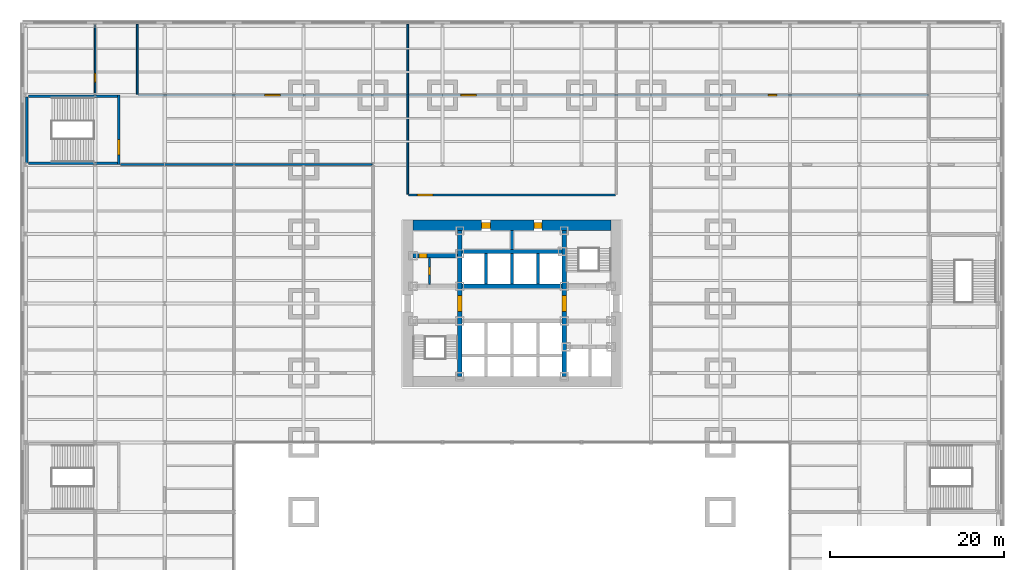
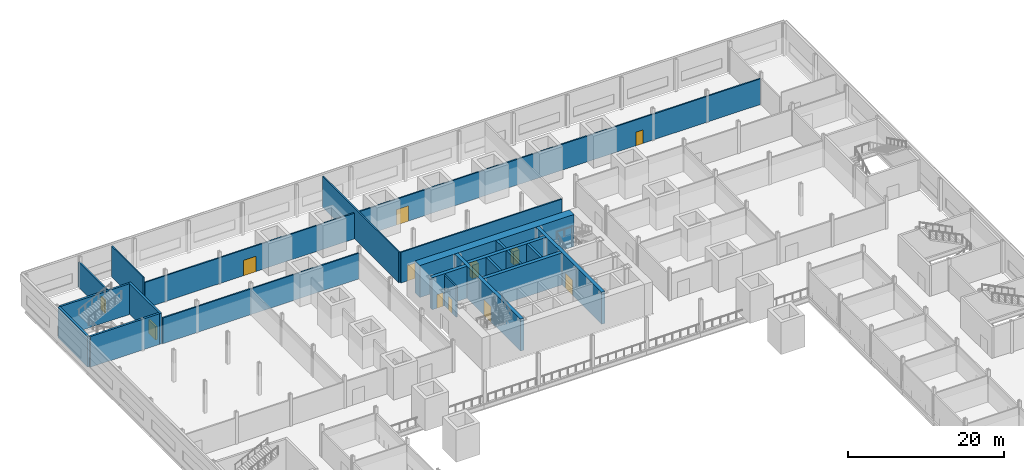
# One storey, part 14 of 22: 21 walls, 12 doors, 12 openings.
"""IFC4 building model written with IfcOpenShell, lengths in metres."""

from ifc_helpers import new_model, si_unit, direction, frame, frame_2d, origin, place, context, subcontext, project, spatial, rectangle, extrude, material, layer, layer_set, type_object, element, fill, save


model = new_model("IFC4")

# Units and contexts
model_context = context("Model", 3, precision=1e-05, world=origin(), true_north=direction((0.0, 1.0)))
body_context = subcontext(model_context, "Body", "Model", "MODEL_VIEW")
ifc_project = project(units=[si_unit("LENGTHUNIT", "METRE"), si_unit("AREAUNIT", "SQUARE_METRE"), si_unit("VOLUMEUNIT", "CUBIC_METRE"), si_unit("PLANEANGLEUNIT", "RADIAN"), si_unit("MASSUNIT", "GRAM", prefix="KILO")], contexts=[model_context])

# Site, building, storey
site_placement = place(None, origin())
site = spatial("IfcSite", under=ifc_project, at=site_placement, CompositionType="ELEMENT")
building_placement = place(site_placement, origin())
building = spatial("IfcBuilding", under=site, at=building_placement, Name="Daluyong Arena Tower", CompositionType="ELEMENT")
storey_placement = place(building_placement, frame((0.0, 0.0, 9.89990234375)))
storey = spatial("IfcBuildingStorey", under=building, at=storey_placement, Name="L02", CompositionType="ELEMENT", Elevation=9.89990234375)

# Wall, opening, door
ifc_material_1 = material(Name="Concrete fc' 45 MPa", Category="concrete")
ifc_layer_1 = layer(ifc_material_1, 0.5)
ifc_layer_set_1 = layer_set([ifc_layer_1], Name="Concrete fc' 45 MPa")
wall_type_1 = type_object("IfcWallType", Name="Core inner wall 500", PredefinedType="SHEAR", material=ifc_layer_set_1)
wall_1_placement = place(storey_placement, frame((50.0, 71.60009765625, 0.0), z_axis=(0.0, 0.0, 1.0), x_axis=(0.0, 1.0, 0.0)))
wall_1 = element("IfcWall", 1, at=wall_1_placement, inside=storey, type_object=wall_type_1, Name="core inner wall at L02", PredefinedType="SHEAR", context=body_context, shape_type="SweptSolid", body=[
    extrude(rectangle(XDim=16.7998046875, YDim=0.5, at=frame_2d((8.39990234375, 0.0))), origin(), (0.0, 0.0, 1.0), 5.0),
])
opening_1_placement = place(wall_1_placement, frame((7.5, 0.0, 0.0)))
opening_1 = element("IfcOpeningElement", 2, at=opening_1_placement, cuts=wall_1, Name="Opening 02010", PredefinedType="OPENING", context=body_context, shape_type="SweptSolid", body=[
    extrude(rectangle(XDim=1.800048828125, YDim=2.39990234375, at=frame_2d((0.89990234375, 1.199951171875))), frame((0.0, 0.260009765625, 0.0), z_axis=(0.0, -1.0, 0.0), x_axis=(1.0, 0.0, 0.0)), (0.0, 0.0, 1.0), 0.52001953125),
])
ifc_material_2 = material(Name="Steel door, fire rated", Category="steel")
door_type_1 = type_object("IfcDoorType", Name="Lift lobby opening door 1800", OperationType="DOUBLE_DOOR_SINGLE_SWING", PredefinedType="DOOR", material=ifc_material_2)
door_1_placement = place(opening_1_placement, origin())
door_1 = element("IfcDoor", 3, at=door_1_placement, inside=storey, type_object=door_type_1, Name="lift lobby door west 02010", OperationType="DOUBLE_DOOR_SINGLE_SWING", OverallHeight=2.39990234375, OverallWidth=1.800048828125, PredefinedType="DOOR", context=body_context, shape_type="SweptSolid", body=[
    extrude(rectangle(XDim=1.800048828125, YDim=2.39990234375, at=frame_2d((0.89990234375, 1.199951171875))), frame((0.0, 0.249755859375, 0.0), z_axis=(0.0, -1.0, 0.0), x_axis=(1.0, 0.0, 0.0)), (0.0, 0.0, 1.0), 0.49951171875),
])
fill(opening_1, door_1)

wall_2_placement = place(storey_placement, frame((62.0, 71.60009765625, 0.0), z_axis=(0.0, 0.0, 1.0), x_axis=(0.0, 1.0, 0.0)))
wall_2 = element("IfcWall", 4, at=wall_2_placement, inside=storey, type_object=wall_type_1, Name="core inner wall at L02", PredefinedType="SHEAR", context=body_context, shape_type="SweptSolid", body=[
    extrude(rectangle(XDim=16.7998046875, YDim=0.5, at=frame_2d((8.39990234375, 0.0))), origin(), (0.0, 0.0, 1.0), 5.0),
])
opening_2_placement = place(wall_2_placement, frame((7.5, 0.0, 0.0)))
opening_2 = element("IfcOpeningElement", 5, at=opening_2_placement, cuts=wall_2, Name="Opening 02011", PredefinedType="OPENING", context=body_context, shape_type="SweptSolid", body=[
    extrude(rectangle(XDim=1.800048828125, YDim=2.39990234375, at=frame_2d((0.89990234375, 1.199951171875))), frame((0.0, 0.260009765625, 0.0), z_axis=(0.0, -1.0, 0.0), x_axis=(1.0, 0.0, 0.0)), (0.0, 0.0, 1.0), 0.52001953125),
])
door_2_placement = place(opening_2_placement, origin())
door_2 = element("IfcDoor", 6, at=door_2_placement, inside=storey, type_object=door_type_1, Name="lift lobby door east 02011", OperationType="DOUBLE_DOOR_SINGLE_SWING", OverallHeight=2.39990234375, OverallWidth=1.800048828125, PredefinedType="DOOR", context=body_context, shape_type="SweptSolid", body=[
    extrude(rectangle(XDim=1.800048828125, YDim=2.39990234375, at=frame_2d((0.89990234375, 1.199951171875))), frame((0.0, 0.249755859375, 0.0), z_axis=(0.0, -1.0, 0.0), x_axis=(1.0, 0.0, 0.0)), (0.0, 0.0, 1.0), 0.49951171875),
])
fill(opening_2, door_2)

wall_3_placement = place(storey_placement, frame((44.60009765625, 85.5, 0.0), z_axis=(0.0, 0.0, 1.0), x_axis=(1.0, 0.0, 0.0)))
wall_3 = element("IfcWall", 7, at=wall_3_placement, inside=storey, type_object=wall_type_1, Name="core inner wall at L02", PredefinedType="SHEAR", context=body_context, shape_type="SweptSolid", body=[
    extrude(rectangle(XDim=5.14990234375, YDim=0.5, at=frame_2d((2.574951171875, 0.0))), origin(), (0.0, 0.0, 1.0), 5.0),
])
opening_3_placement = place(wall_3_placement, frame((0.699951171875, 0.0, 0.0)))
opening_3 = element("IfcOpeningElement", 8, at=opening_3_placement, cuts=wall_3, Name="Opening 02003", PredefinedType="OPENING", context=body_context, shape_type="SweptSolid", body=[
    extrude(rectangle(XDim=0.89990234375, YDim=2.10009765625, at=frame_2d((0.449951171875, 1.050048828125))), frame((0.0, 0.260009765625, 0.0), z_axis=(0.0, -1.0, 0.0), x_axis=(1.0, 0.0, 0.0)), (0.0, 0.0, 1.0), 0.52001953125),
])
ifc_material_3 = material(Name="Timber door", Category="wood")
door_type_2 = type_object("IfcDoorType", Name="Toilet door 900", OperationType="SINGLE_SWING_RIGHT", PredefinedType="DOOR", material=ifc_material_3)
door_3_placement = place(opening_3_placement, origin())
door_3 = element("IfcDoor", 9, at=door_3_placement, inside=storey, type_object=door_type_2, Name="female toilet door 02003", OperationType="SINGLE_SWING_RIGHT", OverallHeight=2.10009765625, OverallWidth=0.89990234375, PredefinedType="DOOR", context=body_context, shape_type="SweptSolid", body=[
    extrude(rectangle(XDim=0.89990234375, YDim=2.10009765625, at=frame_2d((0.449951171875, 1.050048828125))), frame((0.0, 0.249755859375, 0.0), z_axis=(0.0, -1.0, 0.0), x_axis=(1.0, 0.0, 0.0)), (0.0, 0.0, 1.0), 0.49951171875),
])
fill(opening_3, door_3)

# Walls
for number, where, z_axis, x_axis, name in (
    (10, (50.25, 82.0, 0.0), (0.0, 0.0, 1.0), (1.0, 0.0, 0.0), "core inner wall at L02"),
    (11, (50.25, 86.0, 0.0), (0.0, 0.0, 1.0), (1.0, 0.0, 0.0), "core inner wall at L02"),
):
    element("IfcWall", number, at=place(storey_placement, frame(where, z_axis=z_axis, x_axis=x_axis)), inside=storey, type_object=wall_type_1, Name=name, PredefinedType="SHEAR", context=body_context, shape_type="SweptSolid", body=[
        extrude(rectangle(XDim=11.5, YDim=0.5, at=frame_2d((5.75, 0.0))), origin(), (0.0, 0.0, 1.0), 5.0),
    ])

# Wall, openings, doors
ifc_material_4 = material(Name="Concrete fc' 60 MPa", Category="concrete")
ifc_layer_2 = layer(ifc_material_4, 1.199951171875)
ifc_layer_set_2 = layer_set([ifc_layer_2], Name="Concrete fc' 60 MPa")
wall_type_2 = type_object("IfcWallType", Name="Core wall 1200", PredefinedType="SHEAR", material=ifc_layer_set_2)
wall_4_placement = place(storey_placement, frame((44.60009765625, 89.0, 0.0), z_axis=(0.0, 0.0, 1.0), x_axis=(1.0, 0.0, 0.0)))
wall_4 = element("IfcWall", 12, at=wall_4_placement, inside=storey, type_object=wall_type_2, Name="core wall at L02", PredefinedType="SHEAR", context=body_context, shape_type="SweptSolid", body=[
    extrude(rectangle(XDim=22.7998046875, YDim=1.199951171875, at=frame_2d((11.39990234375, 0.0))), origin(), (0.0, 0.0, 1.0), 5.0),
])
opening_4_placement = place(wall_4_placement, frame((7.89990234375, 0.0, 0.0)))
opening_4 = element("IfcOpeningElement", 13, at=opening_4_placement, cuts=wall_4, Name="Opening 02004", PredefinedType="OPENING", context=body_context, shape_type="SweptSolid", body=[
    extrude(rectangle(XDim=1.0, YDim=2.10009765625, at=frame_2d((0.5, 1.050048828125))), frame((0.0, 0.60986328125, 0.0), z_axis=(0.0, -1.0, 0.0), x_axis=(1.0, 0.0, 0.0)), (0.0, 0.0, 1.0), 1.219970703125),
])
opening_5_placement = place(wall_4_placement, frame((13.949951171875, 0.0, 0.0)))
opening_5 = element("IfcOpeningElement", 14, at=opening_5_placement, cuts=wall_4, Name="Opening 02005", PredefinedType="OPENING", context=body_context, shape_type="SweptSolid", body=[
    extrude(rectangle(XDim=0.89990234375, YDim=2.10009765625, at=frame_2d((0.449951171875, 1.050048828125))), frame((0.0, 0.60986328125, 0.0), z_axis=(0.0, -1.0, 0.0), x_axis=(1.0, 0.0, 0.0)), (0.0, 0.0, 1.0), 1.219970703125),
])
ifc_material_5 = material(Name="Timber door", Category="wood")
door_type_3 = type_object("IfcDoorType", Name="Accessible toilet door 1000", OperationType="SINGLE_SWING_LEFT", PredefinedType="DOOR", material=ifc_material_5)
door_4_placement = place(opening_4_placement, origin())
door_4 = element("IfcDoor", 15, at=door_4_placement, inside=storey, type_object=door_type_3, Name="accessible toilet door 02004", OperationType="SINGLE_SWING_LEFT", OverallHeight=2.10009765625, OverallWidth=1.0, PredefinedType="DOOR", context=body_context, shape_type="SweptSolid", body=[
    extrude(rectangle(XDim=1.0, YDim=2.10009765625, at=frame_2d((0.5, 1.050048828125))), frame((0.0, 0.35009765625, 0.0), z_axis=(0.0, -1.0, 0.0), x_axis=(1.0, 0.0, 0.0)), (0.0, 0.0, 1.0), 0.699951171875),
])
fill(opening_4, door_4)
ifc_material_6 = material(Name="Steel door, fire rated", Category="steel")
door_type_4 = type_object("IfcDoorType", Name="Riser door 900", OperationType="SINGLE_SWING_LEFT", PredefinedType="DOOR", material=ifc_material_6)
door_5_placement = place(opening_5_placement, origin())
door_5 = element("IfcDoor", 16, at=door_5_placement, inside=storey, type_object=door_type_4, Name="riser door 02005", OperationType="SINGLE_SWING_LEFT", OverallHeight=2.10009765625, OverallWidth=0.89990234375, PredefinedType="DOOR", context=body_context, shape_type="SweptSolid", body=[
    extrude(rectangle(XDim=0.89990234375, YDim=2.10009765625, at=frame_2d((0.449951171875, 1.050048828125))), frame((0.0, 0.35009765625, 0.0), z_axis=(0.0, -1.0, 0.0), x_axis=(1.0, 0.0, 0.0)), (0.0, 0.0, 1.0), 0.699951171875),
])
fill(opening_5, door_5)

# Wall, opening, door
ifc_material_7 = material(Name="Concrete block partition, fire rated", Category="concrete")
ifc_layer_3 = layer(ifc_material_7, 0.199951171875)
ifc_layer_set_3 = layer_set([ifc_layer_3], Name="Concrete block partition, fire rated")
wall_type_3 = type_object("IfcWallType", Name="Fire-rated partition 200", PredefinedType="PARTITIONING", material=ifc_layer_set_3)
wall_5_placement = place(storey_placement, frame((46.5, 82.25, 0.0), z_axis=(0.0, 0.0, 1.0), x_axis=(0.0, 1.0, 0.0)))
wall_5 = element("IfcWall", 17, at=wall_5_placement, inside=storey, type_object=wall_type_3, Name="toilet lobby partition at L02", PredefinedType="PARTITIONING", context=body_context, shape_type="SweptSolid", body=[
    extrude(rectangle(XDim=3.0, YDim=0.199951171875, at=frame_2d((1.5, 0.0))), origin(), (0.0, 0.0, 1.0), 4.800048828125),
])
opening_6_placement = place(wall_5_placement, frame((1.050048828125, 0.0, 0.0)))
opening_6 = element("IfcOpeningElement", 18, at=opening_6_placement, cuts=wall_5, Name="Opening 02002", PredefinedType="OPENING", context=body_context, shape_type="SweptSolid", body=[
    extrude(rectangle(XDim=0.89990234375, YDim=2.10009765625, at=frame_2d((0.449951171875, 1.050048828125))), frame((0.0, 0.10986328125, 0.0), z_axis=(0.0, -1.0, 0.0), x_axis=(1.0, 0.0, 0.0)), (0.0, 0.0, 1.0), 0.219970703125),
])
door_6_placement = place(opening_6_placement, origin())
door_6 = element("IfcDoor", 19, at=door_6_placement, inside=storey, type_object=door_type_2, Name="male toilet door 02002", OperationType="SINGLE_SWING_RIGHT", OverallHeight=2.10009765625, OverallWidth=0.89990234375, PredefinedType="DOOR", context=body_context, shape_type="SweptSolid", body=[
    extrude(rectangle(XDim=0.89990234375, YDim=2.10009765625, at=frame_2d((0.449951171875, 1.050048828125))), frame((0.0, 0.099609375, 0.0), z_axis=(0.0, -1.0, 0.0), x_axis=(1.0, 0.0, 0.0)), (0.0, 0.0, 1.0), 0.199462890625),
])
fill(opening_6, door_6)

# Walls
ifc_material_8 = material(Name="Concrete fc' 45 MPa", Category="concrete")
ifc_layer_4 = layer(ifc_material_8, 0.35009765625)
ifc_layer_set_4 = layer_set([ifc_layer_4], Name="Concrete fc' 45 MPa")
wall_type_4 = type_object("IfcWallType", Name="Lift shaft wall 350", PredefinedType="SHEAR", material=ifc_layer_set_4)
for number, where, z_axis, x_axis, name in (
    (20, (53.0, 82.25, 0.0), (0.0, 0.0, 1.0), (0.0, 1.0, 0.0), "lift shaft wall at L02"),
    (21, (56.0, 82.25, 0.0), (0.0, 0.0, 1.0), (0.0, 1.0, 0.0), "lift shaft wall at L02"),
    (22, (59.0, 82.25, 0.0), (0.0, 0.0, 1.0), (0.0, 1.0, 0.0), "lift shaft wall at L02"),
):
    element("IfcWall", number, at=place(storey_placement, frame(where, z_axis=z_axis, x_axis=x_axis)), inside=storey, type_object=wall_type_4, Name=name, PredefinedType="SHEAR", context=body_context, shape_type="SweptSolid", body=[
        extrude(rectangle(XDim=3.5, YDim=0.35009765625, at=frame_2d((1.75, 0.0))), origin(), (0.0, 0.0, 1.0), 5.0),
    ])
wall_6_placement = place(storey_placement, frame((56.0, 86.25, 0.0), z_axis=(0.0, 0.0, 1.0), x_axis=(0.0, 1.0, 0.0)))
element("IfcWall", 23, at=wall_6_placement, inside=storey, type_object=wall_type_4, Name="lift shaft wall at L02", PredefinedType="SHEAR", context=body_context, shape_type="SweptSolid", body=[
    extrude(rectangle(XDim=2.14990234375, YDim=0.35009765625, at=frame_2d((1.074951171875, 0.0))), origin(), (0.0, 0.0, 1.0), 5.0),
])

# Wall, opening, door
ifc_material_9 = material(Name="Concrete block partition", Category="concrete")
ifc_layer_5 = layer(ifc_material_9, 0.199951171875)
ifc_layer_set_5 = layer_set([ifc_layer_5], Name="Concrete block partition")
wall_type_5 = type_object("IfcWallType", Name="Partition 200", PredefinedType="PARTITIONING", material=ifc_layer_set_5)
wall_7_placement = place(storey_placement, frame((44.10009765625, 92.5, 0.0), z_axis=(0.0, 0.0, 1.0), x_axis=(1.0, 0.0, 0.0)))
wall_7 = element("IfcWall", 24, at=wall_7_placement, inside=storey, type_object=wall_type_5, Name="partition at L02", PredefinedType="PARTITIONING", context=body_context, shape_type="SweptSolid", body=[
    extrude(rectangle(XDim=23.7998046875, YDim=0.199951171875, at=frame_2d((11.89990234375, 0.0))), origin(), (0.0, 0.0, 1.0), 4.800048828125),
])
opening_7_placement = place(wall_7_placement, frame((1.0, 0.0, 0.0)))
opening_7 = element("IfcOpeningElement", 25, at=opening_7_placement, cuts=wall_7, Name="Opening 02064", PredefinedType="OPENING", context=body_context, shape_type="SweptSolid", body=[
    extrude(rectangle(XDim=1.800048828125, YDim=2.39990234375, at=frame_2d((0.89990234375, 1.199951171875))), frame((0.0, 0.10986328125, 0.0), z_axis=(0.0, -1.0, 0.0), x_axis=(1.0, 0.0, 0.0)), (0.0, 0.0, 1.0), 0.219970703125),
])
ifc_material_10 = material(Name="Timber door", Category="wood")
door_type_5 = type_object("IfcDoorType", Name="Assembly double door 1800", OperationType="DOUBLE_DOOR_DOUBLE_SWING", PredefinedType="DOOR", material=ifc_material_10)
door_7_placement = place(opening_7_placement, origin())
door_7 = element("IfcDoor", 26, at=door_7_placement, inside=storey, type_object=door_type_5, Name="club dining room door 02064", OperationType="DOUBLE_DOOR_DOUBLE_SWING", OverallHeight=2.39990234375, OverallWidth=1.800048828125, PredefinedType="DOOR", context=body_context, shape_type="SweptSolid", body=[
    extrude(rectangle(XDim=1.800048828125, YDim=2.39990234375, at=frame_2d((0.89990234375, 1.199951171875))), frame((0.0, 0.099609375, 0.0), z_axis=(0.0, -1.0, 0.0), x_axis=(1.0, 0.0, 0.0)), (0.0, 0.0, 1.0), 0.199462890625),
])
fill(opening_7, door_7)

# Wall
wall_8_placement = place(storey_placement, frame((10.949951171875, 96.0, 0.0), z_axis=(0.0, 0.0, 1.0), x_axis=(1.0, 0.0, 0.0)))
element("IfcWall", 27, at=wall_8_placement, inside=storey, type_object=wall_type_5, Name="partition at L02", PredefinedType="PARTITIONING", context=body_context, shape_type="SweptSolid", body=[
    extrude(rectangle(XDim=28.949951171875, YDim=0.199951171875, at=frame_2d((14.47509765625, 0.0))), origin(), (0.0, 0.0, 1.0), 4.02783203125),
])

# Wall, openings, doors
wall_9_placement = place(storey_placement, frame((12.949951171875, 104.0, 0.0), z_axis=(0.0, 0.0, 1.0), x_axis=(1.0, 0.0, 0.0)))
wall_9 = element("IfcWall", 28, at=wall_9_placement, inside=storey, type_object=wall_type_5, Name="partition at L02", PredefinedType="PARTITIONING", context=body_context, shape_type="SweptSolid", body=[
    extrude(rectangle(XDim=90.949951171875, YDim=0.199951171875, at=frame_2d((45.47509765625, 0.0))), origin(), (0.0, 0.0, 1.0), 4.02783203125),
])
opening_8_placement = place(wall_9_placement, frame((14.574951171875, 0.0, 0.0)))
opening_8 = element("IfcOpeningElement", 29, at=opening_8_placement, cuts=wall_9, Name="Opening 02062", PredefinedType="OPENING", context=body_context, shape_type="SweptSolid", body=[
    extrude(rectangle(XDim=1.800048828125, YDim=2.39990234375, at=frame_2d((0.89990234375, 1.199951171875))), frame((0.0, 0.10986328125, 0.0), z_axis=(0.0, -1.0, 0.0), x_axis=(1.0, 0.0, 0.0)), (0.0, 0.0, 1.0), 0.219970703125),
])
opening_9_placement = place(wall_9_placement, frame((37.14990234375, 0.0, 0.0)))
opening_9 = element("IfcOpeningElement", 30, at=opening_9_placement, cuts=wall_9, Name="Opening 02065", PredefinedType="OPENING", context=body_context, shape_type="SweptSolid", body=[
    extrude(rectangle(XDim=1.800048828125, YDim=2.39990234375, at=frame_2d((0.89990234375, 1.199951171875))), frame((0.0, 0.10986328125, 0.0), z_axis=(0.0, -1.0, 0.0), x_axis=(1.0, 0.0, 0.0)), (0.0, 0.0, 1.0), 0.219970703125),
])
opening_10_placement = place(wall_9_placement, frame((72.550048828125, 0.0, 0.0)))
opening_10 = element("IfcOpeningElement", 31, at=opening_10_placement, cuts=wall_9, Name="Opening 02066", PredefinedType="OPENING", context=body_context, shape_type="SweptSolid", body=[
    extrude(rectangle(XDim=1.0, YDim=2.10009765625, at=frame_2d((0.5, 1.050048828125))), frame((0.0, 0.10986328125, 0.0), z_axis=(0.0, -1.0, 0.0), x_axis=(1.0, 0.0, 0.0)), (0.0, 0.0, 1.0), 0.219970703125),
])
door_8_placement = place(opening_8_placement, origin())
door_8 = element("IfcDoor", 32, at=door_8_placement, inside=storey, type_object=door_type_5, Name="banquet hall door 02062", OperationType="DOUBLE_DOOR_DOUBLE_SWING", OverallHeight=2.39990234375, OverallWidth=1.800048828125, PredefinedType="DOOR", context=body_context, shape_type="SweptSolid", body=[
    extrude(rectangle(XDim=1.800048828125, YDim=2.39990234375, at=frame_2d((0.89990234375, 1.199951171875))), frame((0.0, 0.099609375, 0.0), z_axis=(0.0, -1.0, 0.0), x_axis=(1.0, 0.0, 0.0)), (0.0, 0.0, 1.0), 0.199462890625),
])
fill(opening_8, door_8)
door_9_placement = place(opening_9_placement, origin())
door_9 = element("IfcDoor", 33, at=door_9_placement, inside=storey, type_object=door_type_5, Name="club dining room door 02065", OperationType="DOUBLE_DOOR_DOUBLE_SWING", OverallHeight=2.39990234375, OverallWidth=1.800048828125, PredefinedType="DOOR", context=body_context, shape_type="SweptSolid", body=[
    extrude(rectangle(XDim=1.800048828125, YDim=2.39990234375, at=frame_2d((0.89990234375, 1.199951171875))), frame((0.0, 0.099609375, 0.0), z_axis=(0.0, -1.0, 0.0), x_axis=(1.0, 0.0, 0.0)), (0.0, 0.0, 1.0), 0.199462890625),
])
fill(opening_9, door_9)
ifc_material_11 = material(Name="Timber door", Category="wood")
door_type_6 = type_object("IfcDoorType", Name="Room door 1000", OperationType="SINGLE_SWING_LEFT", PredefinedType="DOOR", material=ifc_material_11)
door_10_placement = place(opening_10_placement, origin())
door_10 = element("IfcDoor", 34, at=door_10_placement, inside=storey, type_object=door_type_6, Name="catering kitchen door 02066", OperationType="SINGLE_SWING_LEFT", OverallHeight=2.10009765625, OverallWidth=1.0, PredefinedType="DOOR", context=body_context, shape_type="SweptSolid", body=[
    extrude(rectangle(XDim=1.0, YDim=2.10009765625, at=frame_2d((0.5, 1.050048828125))), frame((0.0, 0.099609375, 0.0), z_axis=(0.0, -1.0, 0.0), x_axis=(1.0, 0.0, 0.0)), (0.0, 0.0, 1.0), 0.199462890625),
])
fill(opening_10, door_10)

# Wall, opening, door
wall_10_placement = place(storey_placement, frame((8.0, 104.10009765625, 0.0), z_axis=(0.0, 0.0, 1.0), x_axis=(0.0, 1.0, 0.0)))
wall_10 = element("IfcWall", 35, at=wall_10_placement, inside=storey, type_object=wall_type_5, Name="partition at L02", PredefinedType="PARTITIONING", context=body_context, shape_type="SweptSolid", body=[
    extrude(rectangle(XDim=8.0498046875, YDim=0.199951171875, at=frame_2d((4.02490234375, 0.0))), origin(), (0.0, 0.0, 1.0), 4.02783203125),
])
opening_11_placement = place(wall_10_placement, frame((1.39990234375, 0.0, 0.0)))
opening_11 = element("IfcOpeningElement", 36, at=opening_11_placement, cuts=wall_10, Name="Opening 02063", PredefinedType="OPENING", context=body_context, shape_type="SweptSolid", body=[
    extrude(rectangle(XDim=1.0, YDim=2.10009765625, at=frame_2d((0.5, 1.050048828125))), frame((0.0, 0.10986328125, 0.0), z_axis=(0.0, -1.0, 0.0), x_axis=(1.0, 0.0, 0.0)), (0.0, 0.0, 1.0), 0.219970703125),
])
door_11_placement = place(opening_11_placement, origin())
door_11 = element("IfcDoor", 37, at=door_11_placement, inside=storey, type_object=door_type_6, Name="banquet servery door 02063", OperationType="SINGLE_SWING_LEFT", OverallHeight=2.10009765625, OverallWidth=1.0, PredefinedType="DOOR", context=body_context, shape_type="SweptSolid", body=[
    extrude(rectangle(XDim=1.0, YDim=2.10009765625, at=frame_2d((0.5, 1.050048828125))), frame((0.0, 0.099609375, 0.0), z_axis=(0.0, -1.0, 0.0), x_axis=(1.0, 0.0, 0.0)), (0.0, 0.0, 1.0), 0.199462890625),
])
fill(opening_11, door_11)

# Walls
wall_11_placement = place(storey_placement, frame((12.85009765625, 104.10009765625, 0.0), z_axis=(0.0, 0.0, 1.0), x_axis=(0.0, 1.0, 0.0)))
element("IfcWall", 38, at=wall_11_placement, inside=storey, type_object=wall_type_5, Name="partition at L02", PredefinedType="PARTITIONING", context=body_context, shape_type="SweptSolid", body=[
    extrude(rectangle(XDim=8.0498046875, YDim=0.199951171875, at=frame_2d((4.02490234375, 0.0))), origin(), (0.0, 0.0, 1.0), 4.800048828125),
])
wall_12_placement = place(storey_placement, frame((44.0, 92.60009765625, 0.0), z_axis=(0.0, 0.0, 1.0), x_axis=(0.0, 1.0, 0.0)))
element("IfcWall", 39, at=wall_12_placement, inside=storey, type_object=wall_type_5, Name="partition at L02", PredefinedType="PARTITIONING", context=body_context, shape_type="SweptSolid", body=[
    extrude(rectangle(XDim=19.5498046875, YDim=0.199951171875, at=frame_2d((9.77490234375, 0.0))), origin(), (0.0, 0.0, 1.0), 4.800048828125),
])
ifc_material_12 = material(Name="Concrete fc' 35 MPa", Category="concrete")
ifc_layer_6 = layer(ifc_material_12, 0.300048828125)
ifc_layer_set_6 = layer_set([ifc_layer_6], Name="Concrete fc' 35 MPa")
wall_type_6 = type_object("IfcWallType", Name="Stair enclosure wall 300", PredefinedType="SOLIDWALL", material=ifc_layer_set_6)
wall_13_placement = place(storey_placement, frame((0.14990234375, 96.208251953125, 0.0), z_axis=(0.0, 0.0, 1.0), x_axis=(0.0, 1.0, 0.0)))
element("IfcWall", 40, at=wall_13_placement, inside=storey, type_object=wall_type_6, Name="exit stair PS5 enclosure", PredefinedType="SOLIDWALL", context=body_context, shape_type="SweptSolid", body=[
    extrude(rectangle(XDim=7.58349609375, YDim=0.300048828125, at=frame_2d((3.791748046875, 0.0))), origin(), (0.0, 0.0, 1.0), 4.800048828125),
])

# Wall, opening, door
wall_14_placement = place(storey_placement, frame((10.699951171875, 96.0, 0.0), z_axis=(0.0, 0.0, 1.0), x_axis=(0.0, 1.0, 0.0)))
wall_14 = element("IfcWall", 41, at=wall_14_placement, inside=storey, type_object=wall_type_6, Name="exit stair PS5 enclosure", PredefinedType="SOLIDWALL", context=body_context, shape_type="SweptSolid", body=[
    extrude(rectangle(XDim=8.0, YDim=0.300048828125, at=frame_2d((4.0, 0.0))), origin(), (0.0, 0.0, 1.0), 4.800048828125),
])
opening_12_placement = place(wall_14_placement, frame((1.10009765625, 0.0, 0.0)))
opening_12 = element("IfcOpeningElement", 42, at=opening_12_placement, cuts=wall_14, Name="Opening 02019", PredefinedType="OPENING", context=body_context, shape_type="SweptSolid", body=[
    extrude(rectangle(XDim=1.800048828125, YDim=2.10009765625, at=frame_2d((0.89990234375, 1.050048828125))), frame((0.0, 0.159912109375, 0.0), z_axis=(0.0, -1.0, 0.0), x_axis=(1.0, 0.0, 0.0)), (0.0, 0.0, 1.0), 0.320068359375),
])
ifc_material_13 = material(Name="Steel door, fire rated", Category="steel")
door_type_7 = type_object("IfcDoorType", Name="Exit stair double door 1800", OperationType="DOUBLE_DOOR_SINGLE_SWING", PredefinedType="DOOR", material=ifc_material_13)
door_12_placement = place(opening_12_placement, origin())
door_12 = element("IfcDoor", 43, at=door_12_placement, inside=storey, type_object=door_type_7, Name="exit stair PS5 door 02019", OperationType="DOUBLE_DOOR_SINGLE_SWING", OverallHeight=2.10009765625, OverallWidth=1.800048828125, PredefinedType="DOOR", context=body_context, shape_type="SweptSolid", body=[
    extrude(rectangle(XDim=1.800048828125, YDim=2.10009765625, at=frame_2d((0.89990234375, 1.050048828125))), frame((0.0, 0.14990234375, 0.0), z_axis=(0.0, -1.0, 0.0), x_axis=(1.0, 0.0, 0.0)), (0.0, 0.0, 1.0), 0.299560546875),
])
fill(opening_12, door_12)

# Walls
for number, where, z_axis, x_axis, name in (
    (44, (0.300048828125, 96.14990234375, 0.0), (0.0, 0.0, 1.0), (1.0, 0.0, 0.0), "exit stair PS5 enclosure"),
    (45, (0.300048828125, 103.85009765625, 0.0), (0.0, 0.0, 1.0), (1.0, 0.0, 0.0), "exit stair PS5 enclosure"),
):
    element("IfcWall", number, at=place(storey_placement, frame(where, z_axis=z_axis, x_axis=x_axis)), inside=storey, type_object=wall_type_6, Name=name, PredefinedType="SOLIDWALL", context=body_context, shape_type="SweptSolid", body=[
        extrude(rectangle(XDim=10.25, YDim=0.300048828125, at=frame_2d((5.125, 0.0))), origin(), (0.0, 0.0, 1.0), 4.800048828125),
    ])

save(model, "model.ifc")
